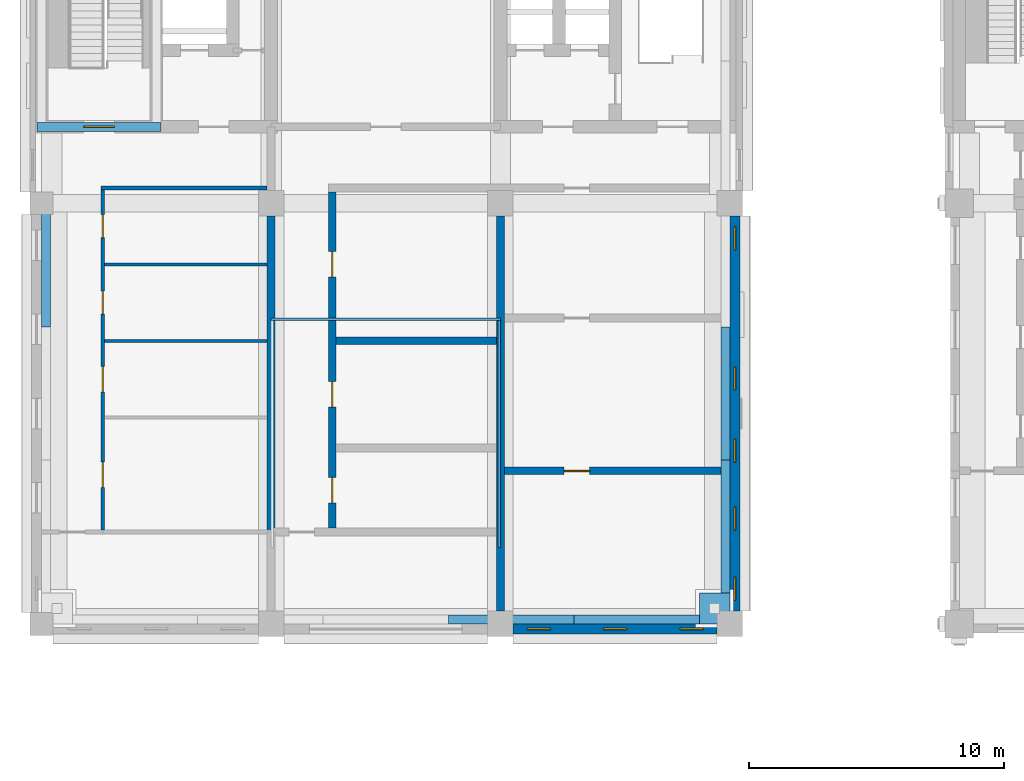
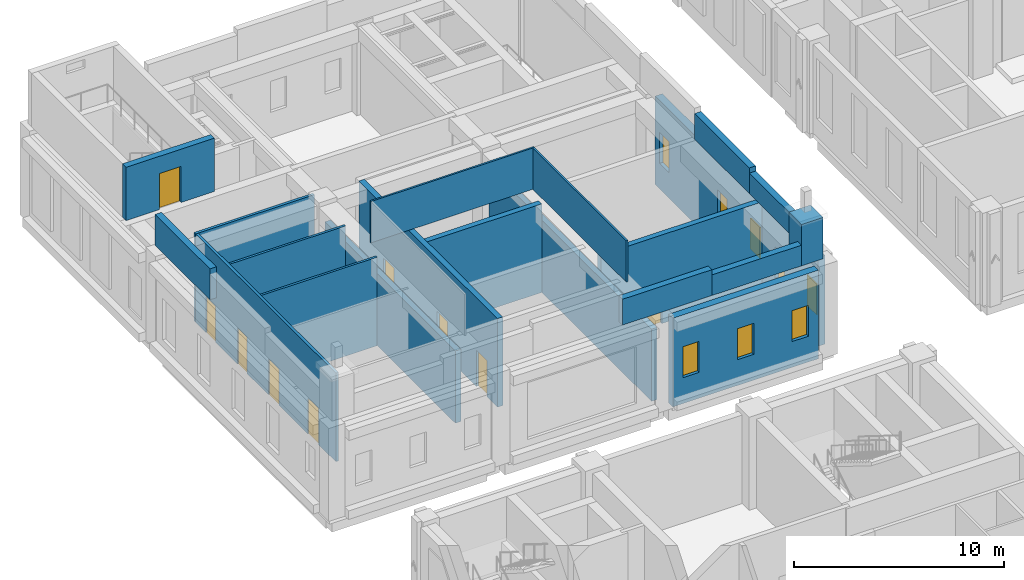
# One storey, part 19 of 37: 20 walls, 9 doors, 8 windows, 17 openings.
"""IFC4 building model written with IfcOpenShell, lengths in metres."""

from ifc_helpers import new_model, si_unit, direction, frame, frame_2d, origin, place, context, subcontext, project, spatial, rectangle, extrude, material, layer, layer_set, type_object, element, fill, save


model = new_model("IFC4")

# Units and contexts
model_context = context("Model", 3, precision=1e-05, world=origin(), true_north=direction((0.0, 1.0)))
body_context = subcontext(model_context, "Body", "Model", "MODEL_VIEW")
ifc_project = project(units=[si_unit("LENGTHUNIT", "METRE"), si_unit("AREAUNIT", "SQUARE_METRE"), si_unit("VOLUMEUNIT", "CUBIC_METRE"), si_unit("PLANEANGLEUNIT", "RADIAN"), si_unit("MASSUNIT", "GRAM", prefix="KILO")], contexts=[model_context])

# Site, building, storey
site_placement = place(None, origin())
site = spatial("IfcSite", under=ifc_project, at=site_placement, CompositionType="ELEMENT")
building_placement = place(site_placement, origin())
building = spatial("IfcBuilding", under=site, at=building_placement, Name="Aurelan Courthouse", CompositionType="ELEMENT")
storey_placement = place(building_placement, frame((0.0, 0.0, 17.39990234375)))
storey = spatial("IfcBuildingStorey", under=building, at=storey_placement, Name="L03", CompositionType="ELEMENT", Elevation=17.39990234375)

# Walls
ifc_material_1 = material(Name="Limestone cladding", Category="masonry")
ifc_layer_1 = layer(ifc_material_1, 0.35009765625)
ifc_layer_set_1 = layer_set([ifc_layer_1], Name="Limestone cladding")
wall_type_1 = type_object("IfcWallType", Name="CR6 crown parapet 350 x 1200", PredefinedType="PARAPET", material=ifc_layer_set_1)
wall_1_placement = place(storey_placement, frame((20.8798828125, 37.675048828125, 5.400146484375), z_axis=(0.0, 0.0, 1.0), x_axis=(1.0, 0.0, 0.0)))
element("IfcWall", 1, at=wall_1_placement, inside=storey, type_object=wall_type_1, Name="Crown parapet CR6-PA05", PredefinedType="PARAPET", context=body_context, shape_type="SweptSolid", body=[
    extrude(rectangle(XDim=4.920166015625, YDim=0.35009765625, at=frame_2d((2.4599609375, 0.0))), origin(), (0.0, 0.0, 1.0), 1.199951171875),
])
wall_2_placement = place(storey_placement, frame((26.824951171875, 38.699951171875, 5.400146484375), z_axis=(0.0, 0.0, 1.0), x_axis=(0.0, 1.0, 0.0)))
element("IfcWall", 2, at=wall_2_placement, inside=storey, type_object=wall_type_1, Name="Crown parapet CR6-PA16", PredefinedType="PARAPET", context=body_context, shape_type="SweptSolid", body=[
    extrude(rectangle(XDim=5.219970703125, YDim=0.35009765625, at=frame_2d((2.60986328125, 0.0))), origin(), (0.0, 0.0, 1.0), 1.199951171875),
])
ifc_layer_2 = layer(ifc_material_1, 0.35009765625)
ifc_layer_set_2 = layer_set([ifc_layer_2], Name="Limestone cladding")
wall_type_2 = type_object("IfcWallType", Name="CR6 crown parapet 350 x 1500", PredefinedType="PARAPET", material=ifc_layer_set_2)
wall_3_placement = place(storey_placement, frame((15.9599609375, 37.675048828125, 5.400146484375), z_axis=(0.0, 0.0, 1.0), x_axis=(1.0, 0.0, 0.0)))
element("IfcWall", 3, at=wall_3_placement, inside=storey, type_object=wall_type_2, Name="Crown parapet CR6-PA04", PredefinedType="PARAPET", context=body_context, shape_type="SweptSolid", body=[
    extrude(rectangle(XDim=4.919921875, YDim=0.35009765625, at=frame_2d((2.4599609375, 0.0))), origin(), (0.0, 0.0, 1.0), 1.5),
])
wall_4_placement = place(storey_placement, frame((26.824951171875, 43.919921875, 5.400146484375), z_axis=(0.0, 0.0, 1.0), x_axis=(0.0, 1.0, 0.0)))
element("IfcWall", 4, at=wall_4_placement, inside=storey, type_object=wall_type_2, Name="Crown parapet CR6-PA17", PredefinedType="PARAPET", context=body_context, shape_type="SweptSolid", body=[
    extrude(rectangle(XDim=5.219970703125, YDim=0.35009765625, at=frame_2d((2.60986328125, 0.0))), origin(), (0.0, 0.0, 1.0), 1.5),
])
ifc_layer_3 = layer(ifc_material_1, 0.35009765625)
ifc_layer_set_3 = layer_set([ifc_layer_3], Name="Limestone cladding")
wall_type_3 = type_object("IfcWallType", Name="CR6 crown parapet 350 x 1800", PredefinedType="PARAPET", material=ifc_layer_set_3)
wall_5_placement = place(storey_placement, frame((0.175048828125, 49.139892578125, 5.400146484375), z_axis=(0.0, 0.0, 1.0), x_axis=(0.0, 1.0, 0.0)))
element("IfcWall", 5, at=wall_5_placement, inside=storey, type_object=wall_type_3, Name="Crown parapet CR6-PA13", PredefinedType="PARAPET", context=body_context, shape_type="SweptSolid", body=[
    extrude(rectangle(XDim=5.22021484375, YDim=0.35009765625, at=frame_2d((2.610107421875, 0.0))), origin(), (0.0, 0.0, 1.0), 1.800048828125),
])
ifc_material_2 = material(Name="Gypsum board on metal studs")
ifc_layer_4 = layer(ifc_material_2, 0.14990234375)
ifc_layer_set_4 = layer_set([ifc_layer_4], Name="Gypsum board on metal studs")
wall_type_4 = type_object("IfcWallType", Name="Corridor partition 150 EI 60", PredefinedType="PARTITIONING", material=ifc_layer_set_4)
wall_6_placement = place(storey_placement, frame((2.324951171875, 54.60009765625, 0.0), z_axis=(0.0, 0.0, 1.0), x_axis=(1.0, 0.0, 0.0)))
element("IfcWall", 6, at=wall_6_placement, inside=storey, type_object=wall_type_4, Name="Corridor partition L03-039", PredefinedType="PARTITIONING", context=body_context, shape_type="SweptSolid", body=[
    extrude(rectangle(XDim=6.525146484375, YDim=0.14990234375, at=frame_2d((3.2626953125, 0.0))), origin(), (0.0, 0.0, 1.0), 5.150146484375),
])

# Wall, openings, doors
wall_7_placement = place(storey_placement, frame((2.39990234375, 41.175048828125, 0.0), z_axis=(0.0, 0.0, 1.0), x_axis=(0.0, 1.0, 0.0)))
wall_7 = element("IfcWall", 7, at=wall_7_placement, inside=storey, type_object=wall_type_4, Name="Corridor partition L03-051", PredefinedType="PARTITIONING", context=body_context, shape_type="SweptSolid", body=[
    extrude(rectangle(XDim=13.349853515625, YDim=0.14990234375, at=frame_2d((6.6748046875, 0.0))), origin(), (0.0, 0.0, 1.0), 5.150146484375),
])
opening_1_placement = place(wall_7_placement, frame((12.375, 0.0, 0.0), z_axis=(0.0, 0.0, 1.0), x_axis=(-1.0, 0.0, 0.0)))
opening_1 = element("IfcOpeningElement", 8, at=opening_1_placement, cuts=wall_7, Name="Opening D-L03-081", PredefinedType="OPENING", context=body_context, shape_type="SweptSolid", body=[
    extrude(rectangle(XDim=0.89990234375, YDim=2.10009765625, at=frame_2d((0.449951171875, 1.050048828125))), frame((0.0, 0.0849609375, 0.0), z_axis=(0.0, -1.0, 0.0), x_axis=(1.0, 0.0, 0.0)), (0.0, 0.0, 1.0), 0.169921875),
])
opening_2_placement = place(wall_7_placement, frame((9.375, 0.0, 0.0), z_axis=(0.0, 0.0, 1.0), x_axis=(-1.0, 0.0, 0.0)))
opening_2 = element("IfcOpeningElement", 9, at=opening_2_placement, cuts=wall_7, Name="Opening D-L03-082", PredefinedType="OPENING", context=body_context, shape_type="SweptSolid", body=[
    extrude(rectangle(XDim=0.89990234375, YDim=2.10009765625, at=frame_2d((0.449951171875, 1.050048828125))), frame((0.0, 0.0849609375, 0.0), z_axis=(0.0, -1.0, 0.0), x_axis=(1.0, 0.0, 0.0)), (0.0, 0.0, 1.0), 0.169921875),
])
opening_3_placement = place(wall_7_placement, frame((6.425048828125, 0.0, 0.0), z_axis=(0.0, 0.0, 1.0), x_axis=(-1.0, 0.0, 0.0)))
opening_3 = element("IfcOpeningElement", 10, at=opening_3_placement, cuts=wall_7, Name="Opening D-L03-083", PredefinedType="OPENING", context=body_context, shape_type="SweptSolid", body=[
    extrude(rectangle(XDim=1.0, YDim=2.10009765625, at=frame_2d((0.5, 1.050048828125))), frame((0.0, 0.0849609375, 0.0), z_axis=(0.0, -1.0, 0.0), x_axis=(1.0, 0.0, 0.0)), (0.0, 0.0, 1.0), 0.169921875),
])
opening_4_placement = place(wall_7_placement, frame((2.675048828125, 0.0, 0.0), z_axis=(0.0, 0.0, 1.0), x_axis=(-1.0, 0.0, 0.0)))
opening_4 = element("IfcOpeningElement", 11, at=opening_4_placement, cuts=wall_7, Name="Opening D-L03-084", PredefinedType="OPENING", context=body_context, shape_type="SweptSolid", body=[
    extrude(rectangle(XDim=1.0, YDim=2.10009765625, at=frame_2d((0.5, 1.050048828125))), frame((0.0, 0.0849609375, 0.0), z_axis=(0.0, -1.0, 0.0), x_axis=(1.0, 0.0, 0.0)), (0.0, 0.0, 1.0), 0.169921875),
])
ifc_material_3 = material(Name="Steel", Category="steel")
door_type_1 = type_object("IfcDoorType", Name="Single door 1000 x 2100 FD60", OperationType="SINGLE_SWING_LEFT", PredefinedType="DOOR", material=ifc_material_3)
door_1_placement = place(opening_3_placement, origin())
door_1 = element("IfcDoor", 12, at=door_1_placement, inside=storey, type_object=door_type_1, Name="Single door D-L03-083", OperationType="SINGLE_SWING_LEFT", OverallHeight=2.10009765625, OverallWidth=1.0, PredefinedType="DOOR", context=body_context, shape_type="SweptSolid", body=[
    extrude(rectangle(XDim=1.0, YDim=2.10009765625, at=frame_2d((0.5, 1.050048828125))), frame((0.0, 0.02490234375, 0.0), z_axis=(0.0, -1.0, 0.0), x_axis=(1.0, 0.0, 0.0)), (0.0, 0.0, 1.0), 0.050048828125),
])
fill(opening_3, door_1)
door_2_placement = place(opening_4_placement, origin())
door_2 = element("IfcDoor", 13, at=door_2_placement, inside=storey, type_object=door_type_1, Name="Single door D-L03-084", OperationType="SINGLE_SWING_RIGHT", OverallHeight=2.10009765625, OverallWidth=1.0, PredefinedType="DOOR", context=body_context, shape_type="SweptSolid", body=[
    extrude(rectangle(XDim=1.0, YDim=2.10009765625, at=frame_2d((0.5, 1.050048828125))), frame((0.0, 0.02490234375, 0.0), z_axis=(0.0, -1.0, 0.0), x_axis=(1.0, 0.0, 0.0)), (0.0, 0.0, 1.0), 0.050048828125),
])
fill(opening_4, door_2)
door_type_2 = type_object("IfcDoorType", Name="Single door 900 x 2100 FD60", OperationType="SINGLE_SWING_LEFT", PredefinedType="DOOR", material=ifc_material_3)
door_3_placement = place(opening_1_placement, origin())
door_3 = element("IfcDoor", 14, at=door_3_placement, inside=storey, type_object=door_type_2, Name="Single door D-L03-081", OperationType="SINGLE_SWING_LEFT", OverallHeight=2.10009765625, OverallWidth=0.89990234375, PredefinedType="DOOR", context=body_context, shape_type="SweptSolid", body=[
    extrude(rectangle(XDim=0.89990234375, YDim=2.10009765625, at=frame_2d((0.449951171875, 1.050048828125))), frame((0.0, 0.02490234375, 0.0), z_axis=(0.0, -1.0, 0.0), x_axis=(1.0, 0.0, 0.0)), (0.0, 0.0, 1.0), 0.050048828125),
])
fill(opening_1, door_3)
door_4_placement = place(opening_2_placement, origin())
door_4 = element("IfcDoor", 15, at=door_4_placement, inside=storey, type_object=door_type_2, Name="Single door D-L03-082", OperationType="SINGLE_SWING_RIGHT", OverallHeight=2.10009765625, OverallWidth=0.89990234375, PredefinedType="DOOR", context=body_context, shape_type="SweptSolid", body=[
    extrude(rectangle(XDim=0.89990234375, YDim=2.10009765625, at=frame_2d((0.449951171875, 1.050048828125))), frame((0.0, 0.02490234375, 0.0), z_axis=(0.0, -1.0, 0.0), x_axis=(1.0, 0.0, 0.0)), (0.0, 0.0, 1.0), 0.050048828125),
])
fill(opening_2, door_4)

# Wall
ifc_layer_5 = layer(ifc_material_1, 1.199951171875)
ifc_layer_set_5 = layer_set([ifc_layer_5], Name="Limestone cladding")
wall_type_5 = type_object("IfcWallType", Name="Crown pylon 1200 x 2400", PredefinedType="SOLIDWALL", material=ifc_layer_set_5)
wall_8_placement = place(storey_placement, frame((25.800048828125, 38.10009765625, 5.400146484375), z_axis=(0.0, 0.0, 1.0), x_axis=(1.0, 0.0, 0.0)))
element("IfcWall", 16, at=wall_8_placement, inside=storey, type_object=wall_type_5, Name="Crown pylon CR6-PY-SE", PredefinedType="SOLIDWALL", context=body_context, shape_type="SweptSolid", body=[
    extrude(rectangle(XDim=1.199951171875, YDim=1.199951171875, at=frame_2d((0.60009765625, 0.0))), origin(), (0.0, 0.0, 1.0), 2.39990234375),
])

# Wall, openings, windows
ifc_layer_6 = layer(ifc_material_1, 0.114990234375, Name="Facing")
ifc_material_4 = material(Name="Ventilated cavity")
ifc_layer_7 = layer(ifc_material_4, 0.02490234375, ventilated=True, Name="Ventilated cavity")
ifc_material_5 = material(Name="Mineral wool insulation")
ifc_layer_8 = layer(ifc_material_5, 0.054931640625, Name="Insulation")
ifc_material_6 = material(Name="Concrete C30", Category="concrete")
ifc_layer_9 = layer(ifc_material_6, 0.205078125, Name="Structure")
ifc_layer_set_6 = layer_set([ifc_layer_6, ifc_layer_7, ifc_layer_8, ifc_layer_9], Name="Concrete C30")
wall_type_6 = type_object("IfcWallType", Name="Custody Suite stone-faced wall 400", PredefinedType="SOLIDWALL", material=ifc_layer_set_6)
wall_9_placement = place(storey_placement, frame((18.5, 37.300048828125, 0.0), z_axis=(0.0, 0.0, 1.0), x_axis=(1.0, 0.0, 0.0)))
wall_9 = element("IfcWall", 17, at=wall_9_placement, inside=storey, type_object=wall_type_6, Name="Facade wall FW-V6-L03-003", PredefinedType="SOLIDWALL", context=body_context, shape_type="SweptSolid", body=[
    extrude(rectangle(XDim=8.0, YDim=0.39990234375, at=frame_2d((4.0, 0.0))), origin(), (0.0, 0.0, 1.0), 5.150146484375),
])
opening_5_placement = place(wall_9_placement, frame((0.550048828125, 0.0, 1.5)))
opening_5 = element("IfcOpeningElement", 18, at=opening_5_placement, cuts=wall_9, Name="Opening WN-V6-L03-005", PredefinedType="OPENING", context=body_context, shape_type="SweptSolid", body=[
    extrude(rectangle(XDim=0.89990234375, YDim=1.800048828125, at=frame_2d((0.449951171875, 0.89990234375))), frame((0.0, 0.2099609375, 0.0), z_axis=(0.0, -1.0, 0.0), x_axis=(1.0, 0.0, 0.0)), (0.0, 0.0, 1.0), 0.419921875),
])
opening_6_placement = place(wall_9_placement, frame((3.550048828125, 0.0, 1.5)))
opening_6 = element("IfcOpeningElement", 19, at=opening_6_placement, cuts=wall_9, Name="Opening WN-V6-L03-006", PredefinedType="OPENING", context=body_context, shape_type="SweptSolid", body=[
    extrude(rectangle(XDim=0.89990234375, YDim=1.800048828125, at=frame_2d((0.449951171875, 0.89990234375))), frame((0.0, 0.2099609375, 0.0), z_axis=(0.0, -1.0, 0.0), x_axis=(1.0, 0.0, 0.0)), (0.0, 0.0, 1.0), 0.419921875),
])
opening_7_placement = place(wall_9_placement, frame((6.550048828125, 0.0, 1.5)))
opening_7 = element("IfcOpeningElement", 20, at=opening_7_placement, cuts=wall_9, Name="Opening WN-V6-L03-007", PredefinedType="OPENING", context=body_context, shape_type="SweptSolid", body=[
    extrude(rectangle(XDim=0.89990234375, YDim=1.800048828125, at=frame_2d((0.449951171875, 0.89990234375))), frame((0.0, 0.2099609375, 0.0), z_axis=(0.0, -1.0, 0.0), x_axis=(1.0, 0.0, 0.0)), (0.0, 0.0, 1.0), 0.419921875),
])
ifc_material_7 = material(Name="Bronze-finished aluminium and glass", Category="aluminium")
window_type = type_object("IfcWindowType", Name="Custody Suite window 900 x 1800, sill 1500", PartitioningType="SINGLE_PANEL", PredefinedType="WINDOW", material=ifc_material_7)
window_1_placement = place(opening_5_placement, origin())
window_1 = element("IfcWindow", 21, at=window_1_placement, inside=storey, type_object=window_type, Name="Window WN-V6-L03-005", OverallHeight=1.800048828125, OverallWidth=0.89990234375, PartitioningType="SINGLE_PANEL", PredefinedType="WINDOW", context=body_context, shape_type="SweptSolid", body=[
    extrude(rectangle(XDim=0.89990234375, YDim=1.800048828125, at=frame_2d((0.449951171875, 0.89990234375))), frame((0.0, 0.030029296875, 0.0), z_axis=(0.0, -1.0, 0.0), x_axis=(1.0, 0.0, 0.0)), (0.0, 0.0, 1.0), 0.06005859375),
])
fill(opening_5, window_1)
window_2_placement = place(opening_6_placement, origin())
window_2 = element("IfcWindow", 22, at=window_2_placement, inside=storey, type_object=window_type, Name="Window WN-V6-L03-006", OverallHeight=1.800048828125, OverallWidth=0.89990234375, PartitioningType="SINGLE_PANEL", PredefinedType="WINDOW", context=body_context, shape_type="SweptSolid", body=[
    extrude(rectangle(XDim=0.89990234375, YDim=1.800048828125, at=frame_2d((0.449951171875, 0.89990234375))), frame((0.0, 0.030029296875, 0.0), z_axis=(0.0, -1.0, 0.0), x_axis=(1.0, 0.0, 0.0)), (0.0, 0.0, 1.0), 0.06005859375),
])
fill(opening_6, window_2)
window_3_placement = place(opening_7_placement, origin())
window_3 = element("IfcWindow", 23, at=window_3_placement, inside=storey, type_object=window_type, Name="Window WN-V6-L03-007", OverallHeight=1.800048828125, OverallWidth=0.89990234375, PartitioningType="SINGLE_PANEL", PredefinedType="WINDOW", context=body_context, shape_type="SweptSolid", body=[
    extrude(rectangle(XDim=0.89990234375, YDim=1.800048828125, at=frame_2d((0.449951171875, 0.89990234375))), frame((0.0, 0.030029296875, 0.0), z_axis=(0.0, -1.0, 0.0), x_axis=(1.0, 0.0, 0.0)), (0.0, 0.0, 1.0), 0.06005859375),
])
fill(opening_7, window_3)

wall_10_placement = place(storey_placement, frame((27.199951171875, 38.0, 0.0), z_axis=(0.0, 0.0, 1.0), x_axis=(0.0, 1.0, 0.0)))
wall_10 = element("IfcWall", 24, at=wall_10_placement, inside=storey, type_object=wall_type_6, Name="Facade wall FW-V6-L03-007", PredefinedType="SOLIDWALL", context=body_context, shape_type="SweptSolid", body=[
    extrude(rectangle(XDim=15.5, YDim=0.39990234375, at=frame_2d((7.75, 0.0))), origin(), (0.0, 0.0, 1.0), 5.150146484375),
])
opening_8_placement = place(wall_10_placement, frame((0.425048828125, 0.0, 1.5)))
opening_8 = element("IfcOpeningElement", 25, at=opening_8_placement, cuts=wall_10, Name="Opening WN-V6-L03-011", PredefinedType="OPENING", context=body_context, shape_type="SweptSolid", body=[
    extrude(rectangle(XDim=0.89990234375, YDim=1.800048828125, at=frame_2d((0.449951171875, 0.89990234375))), frame((0.0, 0.2099609375, 0.0), z_axis=(0.0, -1.0, 0.0), x_axis=(1.0, 0.0, 0.0)), (0.0, 0.0, 1.0), 0.419921875),
])
opening_9_placement = place(wall_10_placement, frame((3.175048828125, 0.0, 1.5)))
opening_9 = element("IfcOpeningElement", 26, at=opening_9_placement, cuts=wall_10, Name="Opening WN-V6-L03-012", PredefinedType="OPENING", context=body_context, shape_type="SweptSolid", body=[
    extrude(rectangle(XDim=0.89990234375, YDim=1.800048828125, at=frame_2d((0.449951171875, 0.89990234375))), frame((0.0, 0.2099609375, 0.0), z_axis=(0.0, -1.0, 0.0), x_axis=(1.0, 0.0, 0.0)), (0.0, 0.0, 1.0), 0.419921875),
])
opening_10_placement = place(wall_10_placement, frame((5.844970703125, 0.0, 1.5)))
opening_10 = element("IfcOpeningElement", 27, at=opening_10_placement, cuts=wall_10, Name="Opening WN-V6-L03-013", PredefinedType="OPENING", context=body_context, shape_type="SweptSolid", body=[
    extrude(rectangle(XDim=0.89990234375, YDim=1.800048828125, at=frame_2d((0.449951171875, 0.89990234375))), frame((0.0, 0.2099609375, 0.0), z_axis=(0.0, -1.0, 0.0), x_axis=(1.0, 0.0, 0.0)), (0.0, 0.0, 1.0), 0.419921875),
])
opening_11_placement = place(wall_10_placement, frame((8.675048828125, 0.0, 1.5)))
opening_11 = element("IfcOpeningElement", 28, at=opening_11_placement, cuts=wall_10, Name="Opening WN-V6-L03-014", PredefinedType="OPENING", context=body_context, shape_type="SweptSolid", body=[
    extrude(rectangle(XDim=0.89990234375, YDim=1.800048828125, at=frame_2d((0.449951171875, 0.89990234375))), frame((0.0, 0.2099609375, 0.0), z_axis=(0.0, -1.0, 0.0), x_axis=(1.0, 0.0, 0.0)), (0.0, 0.0, 1.0), 0.419921875),
])
opening_12_placement = place(wall_10_placement, frame((14.175048828125, 0.0, 1.5)))
opening_12 = element("IfcOpeningElement", 29, at=opening_12_placement, cuts=wall_10, Name="Opening WN-V6-L03-015", PredefinedType="OPENING", context=body_context, shape_type="SweptSolid", body=[
    extrude(rectangle(XDim=0.89990234375, YDim=1.800048828125, at=frame_2d((0.449951171875, 0.89990234375))), frame((0.0, 0.2099609375, 0.0), z_axis=(0.0, -1.0, 0.0), x_axis=(1.0, 0.0, 0.0)), (0.0, 0.0, 1.0), 0.419921875),
])
window_4_placement = place(opening_8_placement, origin())
window_4 = element("IfcWindow", 30, at=window_4_placement, inside=storey, type_object=window_type, Name="Window WN-V6-L03-011", OverallHeight=1.800048828125, OverallWidth=0.89990234375, PartitioningType="SINGLE_PANEL", PredefinedType="WINDOW", context=body_context, shape_type="SweptSolid", body=[
    extrude(rectangle(XDim=0.89990234375, YDim=1.800048828125, at=frame_2d((0.449951171875, 0.89990234375))), frame((0.0, 0.030029296875, 0.0), z_axis=(0.0, -1.0, 0.0), x_axis=(1.0, 0.0, 0.0)), (0.0, 0.0, 1.0), 0.06005859375),
])
fill(opening_8, window_4)
window_5_placement = place(opening_9_placement, origin())
window_5 = element("IfcWindow", 31, at=window_5_placement, inside=storey, type_object=window_type, Name="Window WN-V6-L03-012", OverallHeight=1.800048828125, OverallWidth=0.89990234375, PartitioningType="SINGLE_PANEL", PredefinedType="WINDOW", context=body_context, shape_type="SweptSolid", body=[
    extrude(rectangle(XDim=0.89990234375, YDim=1.800048828125, at=frame_2d((0.449951171875, 0.89990234375))), frame((0.0, 0.030029296875, 0.0), z_axis=(0.0, -1.0, 0.0), x_axis=(1.0, 0.0, 0.0)), (0.0, 0.0, 1.0), 0.06005859375),
])
fill(opening_9, window_5)
window_6_placement = place(opening_10_placement, origin())
window_6 = element("IfcWindow", 32, at=window_6_placement, inside=storey, type_object=window_type, Name="Window WN-V6-L03-013", OverallHeight=1.800048828125, OverallWidth=0.89990234375, PartitioningType="SINGLE_PANEL", PredefinedType="WINDOW", context=body_context, shape_type="SweptSolid", body=[
    extrude(rectangle(XDim=0.89990234375, YDim=1.800048828125, at=frame_2d((0.449951171875, 0.89990234375))), frame((0.0, 0.030029296875, 0.0), z_axis=(0.0, -1.0, 0.0), x_axis=(1.0, 0.0, 0.0)), (0.0, 0.0, 1.0), 0.06005859375),
])
fill(opening_10, window_6)
window_7_placement = place(opening_11_placement, origin())
window_7 = element("IfcWindow", 33, at=window_7_placement, inside=storey, type_object=window_type, Name="Window WN-V6-L03-014", OverallHeight=1.800048828125, OverallWidth=0.89990234375, PartitioningType="SINGLE_PANEL", PredefinedType="WINDOW", context=body_context, shape_type="SweptSolid", body=[
    extrude(rectangle(XDim=0.89990234375, YDim=1.800048828125, at=frame_2d((0.449951171875, 0.89990234375))), frame((0.0, 0.030029296875, 0.0), z_axis=(0.0, -1.0, 0.0), x_axis=(1.0, 0.0, 0.0)), (0.0, 0.0, 1.0), 0.06005859375),
])
fill(opening_11, window_7)
window_8_placement = place(opening_12_placement, origin())
window_8 = element("IfcWindow", 34, at=window_8_placement, inside=storey, type_object=window_type, Name="Window WN-V6-L03-015", OverallHeight=1.800048828125, OverallWidth=0.89990234375, PartitioningType="SINGLE_PANEL", PredefinedType="WINDOW", context=body_context, shape_type="SweptSolid", body=[
    extrude(rectangle(XDim=0.89990234375, YDim=1.800048828125, at=frame_2d((0.449951171875, 0.89990234375))), frame((0.0, 0.030029296875, 0.0), z_axis=(0.0, -1.0, 0.0), x_axis=(1.0, 0.0, 0.0)), (0.0, 0.0, 1.0), 0.06005859375),
])
fill(opening_12, window_8)

# Wall, opening, door
ifc_layer_10 = layer(ifc_material_6, 0.300048828125)
ifc_layer_set_7 = layer_set([ifc_layer_10], Name="Concrete C30")
wall_type_7 = type_object("IfcWallType", Name="Custody wall 300 EI 120", PredefinedType="PARTITIONING", material=ifc_layer_set_7)
wall_11_placement = place(storey_placement, frame((18.14990234375, 43.5, 0.0), z_axis=(0.0, 0.0, 1.0), x_axis=(1.0, 0.0, 0.0)))
wall_11 = element("IfcWall", 35, at=wall_11_placement, inside=storey, type_object=wall_type_7, Name="Custody wall L03-016", PredefinedType="PARTITIONING", context=body_context, shape_type="SweptSolid", body=[
    extrude(rectangle(XDim=8.85009765625, YDim=0.300048828125, at=frame_2d((4.425048828125, 0.0))), origin(), (0.0, 0.0, 1.0), 5.150146484375),
])
opening_13_placement = place(wall_11_placement, frame((3.35009765625, 0.0, 0.0), z_axis=(0.0, 0.0, 1.0), x_axis=(-1.0, 0.0, 0.0)))
opening_13 = element("IfcOpeningElement", 36, at=opening_13_placement, cuts=wall_11, Name="Opening D-L03-092", PredefinedType="OPENING", context=body_context, shape_type="SweptSolid", body=[
    extrude(rectangle(XDim=1.0, YDim=2.10009765625, at=frame_2d((0.5, 1.050048828125))), frame((0.0, 0.159912109375, 0.0), z_axis=(0.0, -1.0, 0.0), x_axis=(1.0, 0.0, 0.0)), (0.0, 0.0, 1.0), 0.320068359375),
])
door_type_3 = type_object("IfcDoorType", Name="Single door 1000 x 2100 FD120", OperationType="SINGLE_SWING_LEFT", PredefinedType="DOOR", material=ifc_material_3)
door_5_placement = place(opening_13_placement, origin())
door_5 = element("IfcDoor", 37, at=door_5_placement, inside=storey, type_object=door_type_3, Name="Single door D-L03-092", OperationType="SINGLE_SWING_RIGHT", OverallHeight=2.10009765625, OverallWidth=1.0, PredefinedType="DOOR", context=body_context, shape_type="SweptSolid", body=[
    extrude(rectangle(XDim=1.0, YDim=2.10009765625, at=frame_2d((0.5, 1.050048828125))), frame((0.0, 0.02490234375, 0.0), z_axis=(0.0, -1.0, 0.0), x_axis=(1.0, 0.0, 0.0)), (0.0, 0.0, 1.0), 0.050048828125),
])
fill(opening_13, door_5)

# Walls
wall_12_placement = place(storey_placement, frame((11.550048828125, 48.60009765625, 0.0), z_axis=(0.0, 0.0, 1.0), x_axis=(1.0, 0.0, 0.0)))
element("IfcWall", 38, at=wall_12_placement, inside=storey, type_object=wall_type_7, Name="Custody wall L03-025", PredefinedType="PARTITIONING", context=body_context, shape_type="SweptSolid", body=[
    extrude(rectangle(XDim=6.300048828125, YDim=0.300048828125, at=frame_2d((3.14990234375, 0.0))), origin(), (0.0, 0.0, 1.0), 5.150146484375),
])
wall_13_placement = place(storey_placement, frame((9.0, 41.10009765625, 0.0), z_axis=(0.0, 0.0, 1.0), x_axis=(0.0, 1.0, 0.0)))
element("IfcWall", 39, at=wall_13_placement, inside=storey, type_object=wall_type_7, Name="Custody wall L03-056", PredefinedType="PARTITIONING", context=body_context, shape_type="SweptSolid", body=[
    extrude(rectangle(XDim=12.39990234375, YDim=0.300048828125, at=frame_2d((6.199951171875, 0.0))), origin(), (0.0, 0.0, 1.0), 4.2001953125),
])

# Wall, openings, doors
wall_14_placement = place(storey_placement, frame((11.39990234375, 41.25, 0.0), z_axis=(0.0, 0.0, 1.0), x_axis=(0.0, 1.0, 0.0)))
wall_14 = element("IfcWall", 40, at=wall_14_placement, inside=storey, type_object=wall_type_7, Name="Custody wall L03-058", PredefinedType="PARTITIONING", context=body_context, shape_type="SweptSolid", body=[
    extrude(rectangle(XDim=13.199951171875, YDim=0.300048828125, at=frame_2d((6.60009765625, 0.0))), origin(), (0.0, 0.0, 1.0), 5.150146484375),
])
opening_14_placement = place(wall_14_placement, frame((10.85009765625, 0.0, 0.0), z_axis=(0.0, 0.0, 1.0), x_axis=(-1.0, 0.0, 0.0)))
opening_14 = element("IfcOpeningElement", 41, at=opening_14_placement, cuts=wall_14, Name="Opening D-L03-087", PredefinedType="OPENING", context=body_context, shape_type="SweptSolid", body=[
    extrude(rectangle(XDim=1.0, YDim=2.10009765625, at=frame_2d((0.5, 1.050048828125))), frame((0.0, 0.159912109375, 0.0), z_axis=(0.0, -1.0, 0.0), x_axis=(1.0, 0.0, 0.0)), (0.0, 0.0, 1.0), 0.320068359375),
])
opening_15_placement = place(wall_14_placement, frame((5.75, 0.0, 0.0), z_axis=(0.0, 0.0, 1.0), x_axis=(-1.0, 0.0, 0.0)))
opening_15 = element("IfcOpeningElement", 42, at=opening_15_placement, cuts=wall_14, Name="Opening D-L03-088", PredefinedType="OPENING", context=body_context, shape_type="SweptSolid", body=[
    extrude(rectangle(XDim=1.0, YDim=2.10009765625, at=frame_2d((0.5, 1.050048828125))), frame((0.0, 0.159912109375, 0.0), z_axis=(0.0, -1.0, 0.0), x_axis=(1.0, 0.0, 0.0)), (0.0, 0.0, 1.0), 0.320068359375),
])
opening_16_placement = place(wall_14_placement, frame((2.0, 0.0, 0.0), z_axis=(0.0, 0.0, 1.0), x_axis=(-1.0, 0.0, 0.0)))
opening_16 = element("IfcOpeningElement", 43, at=opening_16_placement, cuts=wall_14, Name="Opening D-L03-089", PredefinedType="OPENING", context=body_context, shape_type="SweptSolid", body=[
    extrude(rectangle(XDim=1.0, YDim=2.10009765625, at=frame_2d((0.5, 1.050048828125))), frame((0.0, 0.159912109375, 0.0), z_axis=(0.0, -1.0, 0.0), x_axis=(1.0, 0.0, 0.0)), (0.0, 0.0, 1.0), 0.320068359375),
])
door_6_placement = place(opening_14_placement, origin())
door_6 = element("IfcDoor", 44, at=door_6_placement, inside=storey, type_object=door_type_3, Name="Single door D-L03-087", OperationType="SINGLE_SWING_LEFT", OverallHeight=2.10009765625, OverallWidth=1.0, PredefinedType="DOOR", context=body_context, shape_type="SweptSolid", body=[
    extrude(rectangle(XDim=1.0, YDim=2.10009765625, at=frame_2d((0.5, 1.050048828125))), frame((0.0, 0.02490234375, 0.0), z_axis=(0.0, -1.0, 0.0), x_axis=(1.0, 0.0, 0.0)), (0.0, 0.0, 1.0), 0.050048828125),
])
fill(opening_14, door_6)
door_7_placement = place(opening_15_placement, origin())
door_7 = element("IfcDoor", 45, at=door_7_placement, inside=storey, type_object=door_type_3, Name="Single door D-L03-088", OperationType="SINGLE_SWING_RIGHT", OverallHeight=2.10009765625, OverallWidth=1.0, PredefinedType="DOOR", context=body_context, shape_type="SweptSolid", body=[
    extrude(rectangle(XDim=1.0, YDim=2.10009765625, at=frame_2d((0.5, 1.050048828125))), frame((0.0, 0.02490234375, 0.0), z_axis=(0.0, -1.0, 0.0), x_axis=(1.0, 0.0, 0.0)), (0.0, 0.0, 1.0), 0.050048828125),
])
fill(opening_15, door_7)
door_8_placement = place(opening_16_placement, origin())
door_8 = element("IfcDoor", 46, at=door_8_placement, inside=storey, type_object=door_type_3, Name="Single door D-L03-089", OperationType="SINGLE_SWING_LEFT", OverallHeight=2.10009765625, OverallWidth=1.0, PredefinedType="DOOR", context=body_context, shape_type="SweptSolid", body=[
    extrude(rectangle(XDim=1.0, YDim=2.10009765625, at=frame_2d((0.5, 1.050048828125))), frame((0.0, 0.02490234375, 0.0), z_axis=(0.0, -1.0, 0.0), x_axis=(1.0, 0.0, 0.0)), (0.0, 0.0, 1.0), 0.050048828125),
])
fill(opening_16, door_8)

# Wall
wall_15_placement = place(storey_placement, frame((18.0, 38.0, 0.0), z_axis=(0.0, 0.0, 1.0), x_axis=(0.0, 1.0, 0.0)))
element("IfcWall", 47, at=wall_15_placement, inside=storey, type_object=wall_type_7, Name="Custody wall L03-062", PredefinedType="PARTITIONING", context=body_context, shape_type="SweptSolid", body=[
    extrude(rectangle(XDim=15.5, YDim=0.300048828125, at=frame_2d((7.75, 0.0))), origin(), (0.0, 0.0, 1.0), 4.2001953125),
])

# Wall, opening, door
ifc_material_8 = material(Name="Concrete C40", Category="concrete")
ifc_layer_11 = layer(ifc_material_8, 0.35009765625)
ifc_layer_set_8 = layer_set([ifc_layer_11], Name="Concrete C40")
wall_type_8 = type_object("IfcWallType", Name="Head house wall 350 x 3100", PredefinedType="SOLIDWALL", material=ifc_layer_set_8)
wall_16_placement = place(storey_placement, frame((-0.175048828125, 57.0, 5.400146484375), z_axis=(0.0, 0.0, 1.0), x_axis=(1.0, 0.0, 0.0)))
wall_16 = element("IfcWall", 48, at=wall_16_placement, inside=storey, type_object=wall_type_8, Name="Head house wall HH-ST-6-S", PredefinedType="SOLIDWALL", context=body_context, shape_type="SweptSolid", body=[
    extrude(rectangle(XDim=4.85009765625, YDim=0.35009765625, at=frame_2d((2.425048828125, 0.0))), origin(), (0.0, 0.0, 1.0), 3.099853515625),
])
opening_17_placement = place(wall_16_placement, frame((3.02490234375, 0.0, 0.0), z_axis=(0.0, 0.0, 1.0), x_axis=(-1.0, 0.0, 0.0)))
opening_17 = element("IfcOpeningElement", 49, at=opening_17_placement, cuts=wall_16, Name="Opening RAD-V6-1", PredefinedType="OPENING", context=body_context, shape_type="SweptSolid", body=[
    extrude(rectangle(XDim=1.199951171875, YDim=2.10009765625, at=frame_2d((0.60009765625, 1.050048828125))), frame((0.0, 0.18505859375, 0.0), z_axis=(0.0, -1.0, 0.0), x_axis=(1.0, 0.0, 0.0)), (0.0, 0.0, 1.0), 0.3701171875),
])
ifc_material_9 = material(Name="Bronze-clad timber", Category="wood")
door_type_4 = type_object("IfcDoorType", Name="Bronze single door 1200 x 2100", OperationType="SINGLE_SWING_LEFT", PredefinedType="DOOR", material=ifc_material_9)
door_9_placement = place(opening_17_placement, origin())
door_9 = element("IfcDoor", 50, at=door_9_placement, inside=storey, type_object=door_type_4, Name="Roof access door RAD-V6-1", OperationType="SINGLE_SWING_LEFT", OverallHeight=2.10009765625, OverallWidth=1.199951171875, PredefinedType="DOOR", context=body_context, shape_type="SweptSolid", body=[
    extrude(rectangle(XDim=1.199951171875, YDim=2.10009765625, at=frame_2d((0.60009765625, 1.050048828125))), frame((0.0, 0.02490234375, 0.0), z_axis=(0.0, -1.0, 0.0), x_axis=(1.0, 0.0, 0.0)), (0.0, 0.0, 1.0), 0.050048828125),
])
fill(opening_17, door_9)

# Walls
ifc_material_10 = material(Name="Bronze-finished aluminium", Category="aluminium")
ifc_layer_12 = layer(ifc_material_10, 0.10009765625)
ifc_layer_set_9 = layer_set([ifc_layer_12], Name="Bronze-finished aluminium")
wall_type_9 = type_object("IfcWallType", Name="Plant screen 100 x 2400", PredefinedType="SOLIDWALL", material=ifc_layer_set_9)
wall_17_placement = place(storey_placement, frame((9.0, 49.449951171875, 5.400146484375), z_axis=(0.0, 0.0, 1.0), x_axis=(1.0, 0.0, 0.0)))
element("IfcWall", 51, at=wall_17_placement, inside=storey, type_object=wall_type_9, Name="Plant screen PS-1", PredefinedType="SOLIDWALL", context=body_context, shape_type="SweptSolid", body=[
    extrude(rectangle(XDim=9.0, YDim=0.10009765625, at=frame_2d((4.5, 0.0))), origin(), (0.0, 0.0, 1.0), 2.39990234375),
])
wall_18_placement = place(storey_placement, frame((17.949951171875, 40.5, 5.400146484375), z_axis=(0.0, 0.0, 1.0), x_axis=(0.0, 1.0, 0.0)))
element("IfcWall", 52, at=wall_18_placement, inside=storey, type_object=wall_type_9, Name="Plant screen PS-3", PredefinedType="SOLIDWALL", context=body_context, shape_type="SweptSolid", body=[
    extrude(rectangle(XDim=8.89990234375, YDim=0.10009765625, at=frame_2d((4.449951171875, 0.0))), origin(), (0.0, 0.0, 1.0), 2.39990234375),
])
ifc_material_11 = material(Name="Moisture-resistant board on metal studs")
ifc_layer_13 = layer(ifc_material_11, 0.125)
ifc_layer_set_10 = layer_set([ifc_layer_13], Name="Moisture-resistant board on metal studs")
wall_type_10 = type_object("IfcWallType", Name="Wet-area partition 125 NOT RATED", PredefinedType="PARTITIONING", material=ifc_layer_set_10)
for number, where, z_axis, x_axis, name in (
    (53, (2.47509765625, 48.60009765625, 0.0), (0.0, 0.0, 1.0), (1.0, 0.0, 0.0), "Wet-area partition L03-024"),
    (54, (2.47509765625, 51.60009765625, 0.0), (0.0, 0.0, 1.0), (1.0, 0.0, 0.0), "Wet-area partition L03-030"),
):
    element("IfcWall", number, at=place(storey_placement, frame(where, z_axis=z_axis, x_axis=x_axis)), inside=storey, type_object=wall_type_10, Name=name, PredefinedType="PARTITIONING", context=body_context, shape_type="SweptSolid", body=[
        extrude(rectangle(XDim=6.375, YDim=0.125, at=frame_2d((3.1875, 0.0))), origin(), (0.0, 0.0, 1.0), 5.150146484375),
    ])

save(model, "model.ifc")
